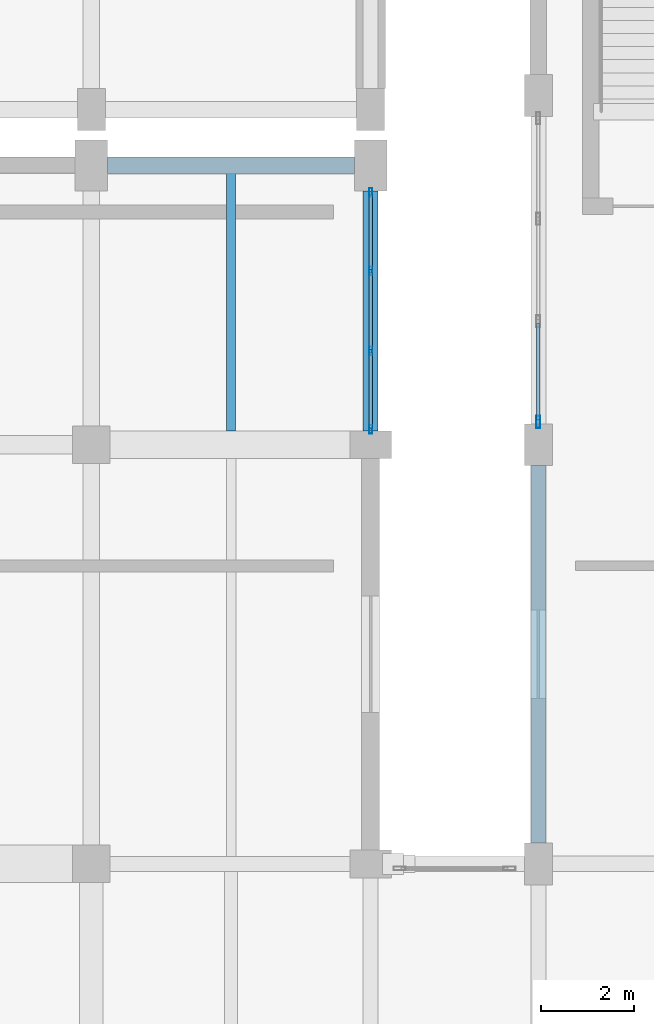
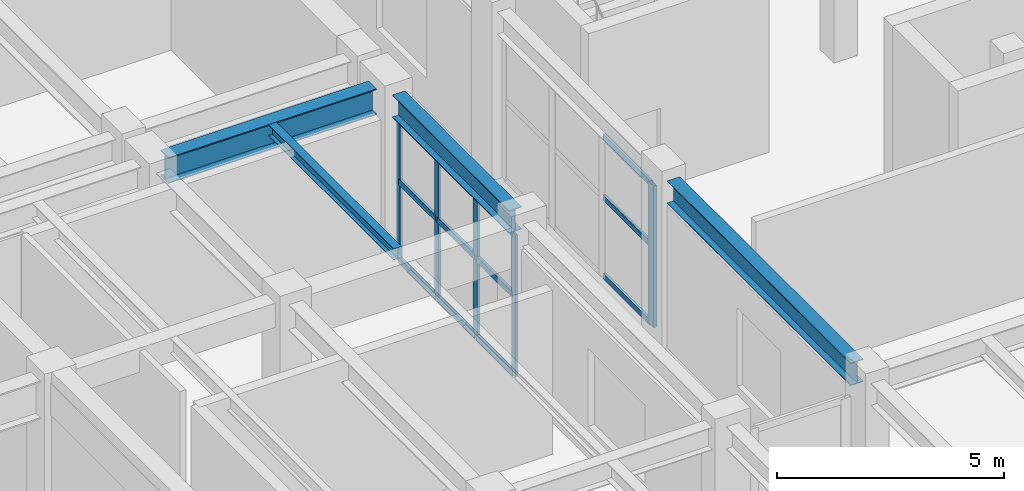
# One storey, part 48 of 96: 17 members, 4 beams, 2 elements without a shape of their own.
"""IFC4 building model written with IfcOpenShell, lengths in metres."""

from ifc_helpers import new_model, si_unit, direction, frame, origin, origin_2d, place, context, subcontext, project, spatial, hollow_rectangle, i_section, extrude, material, layer, layer_set, material_profile, profile_set, type_object, element, aggregate, save


model = new_model("IFC4")

# Units and contexts
model_context = context("Model", 3, precision=1e-05, world=origin(), true_north=direction((0.0, 1.0)))
body_context = subcontext(model_context, "Body", "Model", "MODEL_VIEW")
ifc_project = project(units=[si_unit("LENGTHUNIT", "METRE"), si_unit("AREAUNIT", "SQUARE_METRE"), si_unit("VOLUMEUNIT", "CUBIC_METRE"), si_unit("PLANEANGLEUNIT", "RADIAN"), si_unit("MASSUNIT", "GRAM", prefix="KILO")], contexts=[model_context])

# Site, building, storey
site_placement = place(None, origin())
site = spatial("IfcSite", under=ifc_project, at=site_placement, CompositionType="ELEMENT")
building_placement = place(site_placement, origin())
building = spatial("IfcBuilding", under=site, at=building_placement, Name="Vaelkrest Opera House", CompositionType="ELEMENT")
storey_placement = place(building_placement, frame((0.0, 0.0, 5.39990234375)))
storey = spatial("IfcBuildingStorey", under=building, at=storey_placement, Name="L01", CompositionType="ELEMENT", Elevation=5.39990234375)

# Curtain wall, members
ifc_material_1 = material(Name="Dark bronze anodized aluminium", Category="aluminium")
ifc_layer_1 = layer(ifc_material_1, 0.219970703125)
ifc_layer_set_1 = layer_set([ifc_layer_1], Name="Dark bronze anodized aluminium")
curtain_wall_type_1 = type_object("IfcCurtainWallType", Name="CW05", PredefinedType="NOTDEFINED", material=ifc_layer_set_1)
curtain_wall_1_placement = place(storey_placement, origin())
curtain_wall_1 = element("IfcCurtainWall", 1, at=curtain_wall_1_placement, inside=storey, type_object=curtain_wall_type_1, Name="Curtain wall CW-L01-028", PredefinedType="NOTDEFINED")
ifc_material_profile_1 = material_profile(ifc_material_1, hollow_rectangle(XDim=0.06494140625, YDim=0.179931640625, WallThickness=0.00390625, at=origin_2d()), Name="CWM65X180")
ifc_profile_set_1 = profile_set([ifc_material_profile_1], Name="Dark bronze anodized aluminium")
member_type_1 = type_object("IfcMemberType", Name="CWM01", PredefinedType="MULLION", material=ifc_profile_set_1)
member_1_placement = place(storey_placement, frame((30.0, 15.619384765625, 0.0), z_axis=(0.0, 0.0, 1.0), x_axis=(1.0, 0.0, 0.0)))
member_1 = element("IfcMember", 2, at=member_1_placement, type_object=member_type_1, Name="CW05 mullion 1", PredefinedType="MULLION", context=body_context, shape_type="SweptSolid", body=[
    extrude(hollow_rectangle(XDim=0.06494140625, YDim=0.179931640625, WallThickness=0.00390625, at=origin_2d()), origin(), (0.0, 0.0, 1.0), 3.82421875),
])
member_2_placement = place(storey_placement, frame((30.0, 13.93408203125, 0.0), z_axis=(0.0, 0.0, 1.0), x_axis=(1.0, 0.0, 0.0)))
member_2 = element("IfcMember", 3, at=member_2_placement, type_object=member_type_1, Name="CW05 mullion 2", PredefinedType="MULLION", context=body_context, shape_type="SweptSolid", body=[
    extrude(hollow_rectangle(XDim=0.06494140625, YDim=0.179931640625, WallThickness=0.00390625, at=origin_2d()), origin(), (0.0, 0.0, 1.0), 3.82421875),
])
member_3_placement = place(storey_placement, frame((30.0, 12.216064453125, 0.0), z_axis=(0.0, 0.0, 1.0), x_axis=(1.0, 0.0, 0.0)))
member_3 = element("IfcMember", 4, at=member_3_placement, type_object=member_type_1, Name="CW05 mullion 3", PredefinedType="MULLION", context=body_context, shape_type="SweptSolid", body=[
    extrude(hollow_rectangle(XDim=0.06494140625, YDim=0.179931640625, WallThickness=0.00390625, at=origin_2d()), origin(), (0.0, 0.0, 1.0), 3.82421875),
])
member_4_placement = place(storey_placement, frame((30.0, 10.530517578125, 0.0), z_axis=(0.0, 0.0, 1.0), x_axis=(1.0, 0.0, 0.0)))
member_4 = element("IfcMember", 5, at=member_4_placement, type_object=member_type_1, Name="CW05 mullion 4", PredefinedType="MULLION", context=body_context, shape_type="SweptSolid", body=[
    extrude(hollow_rectangle(XDim=0.06494140625, YDim=0.179931640625, WallThickness=0.00390625, at=origin_2d()), origin(), (0.0, 0.0, 1.0), 3.82421875),
])

ifc_layer_2 = layer(ifc_material_1, 0.25)
ifc_layer_set_2 = layer_set([ifc_layer_2], Name="Dark bronze anodized aluminium")
curtain_wall_type_2 = type_object("IfcCurtainWallType", Name="CW08", PredefinedType="NOTDEFINED", material=ifc_layer_set_2)
curtain_wall_2_placement = place(storey_placement, origin())
curtain_wall_2 = element("IfcCurtainWall", 6, at=curtain_wall_2_placement, inside=storey, type_object=curtain_wall_type_2, Name="Curtain wall CW-L01-155", PredefinedType="NOTDEFINED")
ifc_material_profile_2 = material_profile(ifc_material_1, hollow_rectangle(XDim=0.080078125, YDim=0.260009765625, WallThickness=0.0048828125, at=origin_2d()), Name="CWM80X260")
ifc_profile_set_2 = profile_set([ifc_material_profile_2], Name="Dark bronze anodized aluminium")
member_type_2 = type_object("IfcMemberType", Name="CWM04", PredefinedType="MULLION", material=ifc_profile_set_2)
member_5_placement = place(storey_placement, frame((33.60009765625, 10.68798828125, 0.0), z_axis=(0.0, 0.0, 1.0), x_axis=(-1.0, 0.0, 0.0)))
member_5 = element("IfcMember", 7, at=member_5_placement, type_object=member_type_2, Name="CW08 mullion 1", PredefinedType="MULLION", context=body_context, shape_type="SweptSolid", body=[
    extrude(hollow_rectangle(XDim=0.080078125, YDim=0.260009765625, WallThickness=0.0048828125, at=origin_2d()), origin(), (0.0, 0.0, 1.0), 3.82421875),
])
ifc_material_profile_3 = material_profile(ifc_material_1, hollow_rectangle(XDim=0.070068359375, YDim=0.14990234375, WallThickness=0.004150390625, at=origin_2d()), Name="CWT70X150")
ifc_profile_set_3 = profile_set([ifc_material_profile_3], Name="Dark bronze anodized aluminium")
member_type_3 = type_object("IfcMemberType", Name="CWT02", PredefinedType="USERDEFINED", material=ifc_profile_set_3)
member_6_placement = place(storey_placement, frame((33.60009765625, 10.72802734375, 0.03515625), z_axis=(0.0, 1.0, 0.0), x_axis=(-1.0, 0.0, 0.0)))
member_6 = element("IfcMember", 8, at=member_6_placement, type_object=member_type_3, Name="CW08 transom 1.1", ObjectType="TRANSOM", PredefinedType="USERDEFINED", context=body_context, shape_type="SweptSolid", body=[
    extrude(hollow_rectangle(XDim=0.070068359375, YDim=0.14990234375, WallThickness=0.004150390625, at=origin_2d()), origin(), (0.0, 0.0, 1.0), 2.081298828125),
])
member_7_placement = place(storey_placement, frame((33.60009765625, 10.72802734375, 2.150146484375), z_axis=(0.0, 1.0, 0.0), x_axis=(-1.0, 0.0, 0.0)))
member_7 = element("IfcMember", 9, at=member_7_placement, type_object=member_type_3, Name="CW08 transom 1.2", ObjectType="TRANSOM", PredefinedType="USERDEFINED", context=body_context, shape_type="SweptSolid", body=[
    extrude(hollow_rectangle(XDim=0.070068359375, YDim=0.14990234375, WallThickness=0.004150390625, at=origin_2d()), origin(), (0.0, 0.0, 1.0), 2.081298828125),
])
member_8_placement = place(storey_placement, frame((33.60009765625, 10.72802734375, 3.7890625), z_axis=(0.0, 1.0, 0.0), x_axis=(-1.0, 0.0, 0.0)))
member_8 = element("IfcMember", 10, at=member_8_placement, type_object=member_type_3, Name="CW08 transom 1.3", ObjectType="TRANSOM", PredefinedType="USERDEFINED", context=body_context, shape_type="SweptSolid", body=[
    extrude(hollow_rectangle(XDim=0.070068359375, YDim=0.14990234375, WallThickness=0.004150390625, at=origin_2d()), origin(), (0.0, 0.0, 1.0), 2.081298828125),
])
aggregate(curtain_wall_2, [member_5, member_6, member_7, member_8])

# Member
ifc_material_profile_4 = material_profile(ifc_material_1, hollow_rectangle(XDim=0.074951171875, YDim=0.159912109375, WallThickness=0.00439453125, at=origin_2d()), Name="CWT75X160")
ifc_profile_set_4 = profile_set([ifc_material_profile_4], Name="Dark bronze anodized aluminium")
member_type_4 = type_object("IfcMemberType", Name="CWT03", PredefinedType="USERDEFINED", material=ifc_profile_set_4)
member_9_placement = place(storey_placement, frame((30.0, 15.5869140625, 0.03759765625), z_axis=(0.0, -1.0, 0.0), x_axis=(1.0, 0.0, 0.0)))
member_9 = element("IfcMember", 11, at=member_9_placement, type_object=member_type_4, Name="CW05 transom 1.1", ObjectType="TRANSOM", PredefinedType="USERDEFINED", context=body_context, shape_type="SweptSolid", body=[
    extrude(hollow_rectangle(XDim=0.074951171875, YDim=0.159912109375, WallThickness=0.00439453125, at=origin_2d()), origin(), (0.0, 0.0, 1.0), 1.620361328125),
])

member_10_placement = place(storey_placement, frame((30.0, 15.5869140625, 2.150146484375), z_axis=(0.0, -1.0, 0.0), x_axis=(1.0, 0.0, 0.0)))
member_10 = element("IfcMember", 12, at=member_10_placement, type_object=member_type_4, Name="CW05 transom 1.2", ObjectType="TRANSOM", PredefinedType="USERDEFINED", context=body_context, shape_type="SweptSolid", body=[
    extrude(hollow_rectangle(XDim=0.074951171875, YDim=0.159912109375, WallThickness=0.00439453125, at=origin_2d()), origin(), (0.0, 0.0, 1.0), 1.620361328125),
])

member_11_placement = place(storey_placement, frame((30.0, 15.5869140625, 3.78662109375), z_axis=(0.0, -1.0, 0.0), x_axis=(1.0, 0.0, 0.0)))
member_11 = element("IfcMember", 13, at=member_11_placement, type_object=member_type_4, Name="CW05 transom 1.3", ObjectType="TRANSOM", PredefinedType="USERDEFINED", context=body_context, shape_type="SweptSolid", body=[
    extrude(hollow_rectangle(XDim=0.074951171875, YDim=0.159912109375, WallThickness=0.00439453125, at=origin_2d()), origin(), (0.0, 0.0, 1.0), 1.620361328125),
])

member_12_placement = place(storey_placement, frame((30.0, 13.901611328125, 0.03759765625), z_axis=(0.0, -1.0, 0.0), x_axis=(1.0, 0.0, 0.0)))
member_12 = element("IfcMember", 14, at=member_12_placement, type_object=member_type_4, Name="CW05 transom 2.1", ObjectType="TRANSOM", PredefinedType="USERDEFINED", context=body_context, shape_type="SweptSolid", body=[
    extrude(hollow_rectangle(XDim=0.074951171875, YDim=0.159912109375, WallThickness=0.00439453125, at=origin_2d()), origin(), (0.0, 0.0, 1.0), 1.653076171875),
])

member_13_placement = place(storey_placement, frame((30.0, 13.901611328125, 2.150146484375), z_axis=(0.0, -1.0, 0.0), x_axis=(1.0, 0.0, 0.0)))
member_13 = element("IfcMember", 15, at=member_13_placement, type_object=member_type_4, Name="CW05 transom 2.2", ObjectType="TRANSOM", PredefinedType="USERDEFINED", context=body_context, shape_type="SweptSolid", body=[
    extrude(hollow_rectangle(XDim=0.074951171875, YDim=0.159912109375, WallThickness=0.00439453125, at=origin_2d()), origin(), (0.0, 0.0, 1.0), 1.653076171875),
])

member_14_placement = place(storey_placement, frame((30.0, 13.901611328125, 3.78662109375), z_axis=(0.0, -1.0, 0.0), x_axis=(1.0, 0.0, 0.0)))
member_14 = element("IfcMember", 16, at=member_14_placement, type_object=member_type_4, Name="CW05 transom 2.3", ObjectType="TRANSOM", PredefinedType="USERDEFINED", context=body_context, shape_type="SweptSolid", body=[
    extrude(hollow_rectangle(XDim=0.074951171875, YDim=0.159912109375, WallThickness=0.00439453125, at=origin_2d()), origin(), (0.0, 0.0, 1.0), 1.653076171875),
])

member_15_placement = place(storey_placement, frame((30.0, 12.18359375, 0.03759765625), z_axis=(0.0, -1.0, 0.0), x_axis=(1.0, 0.0, 0.0)))
member_15 = element("IfcMember", 17, at=member_15_placement, type_object=member_type_4, Name="CW05 transom 3.1", ObjectType="TRANSOM", PredefinedType="USERDEFINED", context=body_context, shape_type="SweptSolid", body=[
    extrude(hollow_rectangle(XDim=0.074951171875, YDim=0.159912109375, WallThickness=0.00439453125, at=origin_2d()), origin(), (0.0, 0.0, 1.0), 1.62060546875),
])

member_16_placement = place(storey_placement, frame((30.0, 12.18359375, 2.150146484375), z_axis=(0.0, -1.0, 0.0), x_axis=(1.0, 0.0, 0.0)))
member_16 = element("IfcMember", 18, at=member_16_placement, type_object=member_type_4, Name="CW05 transom 3.2", ObjectType="TRANSOM", PredefinedType="USERDEFINED", context=body_context, shape_type="SweptSolid", body=[
    extrude(hollow_rectangle(XDim=0.074951171875, YDim=0.159912109375, WallThickness=0.00439453125, at=origin_2d()), origin(), (0.0, 0.0, 1.0), 1.62060546875),
])

member_17_placement = place(storey_placement, frame((30.0, 12.18359375, 3.78662109375), z_axis=(0.0, -1.0, 0.0), x_axis=(1.0, 0.0, 0.0)))
member_17 = element("IfcMember", 19, at=member_17_placement, type_object=member_type_4, Name="CW05 transom 3.3", ObjectType="TRANSOM", PredefinedType="USERDEFINED", context=body_context, shape_type="SweptSolid", body=[
    extrude(hollow_rectangle(XDim=0.074951171875, YDim=0.159912109375, WallThickness=0.00439453125, at=origin_2d()), origin(), (0.0, 0.0, 1.0), 1.62060546875),
])

aggregate(curtain_wall_1, [member_1, member_2, member_3, member_4, member_9, member_10, member_11, member_12, member_13, member_14, member_15, member_16, member_17])

# Beams
ifc_material_2 = material(Name="Steel A992 Gr50", Category="steel")
ifc_material_profile_5 = material_profile(ifc_material_2, i_section(OverallWidth=0.202880859375, OverallDepth=0.302978515625, WebThickness=0.007568359375, FlangeThickness=0.01318359375, at=origin_2d()), Name="W12X40")
ifc_profile_set_5 = profile_set([ifc_material_profile_5], Name="Steel A992 Gr50")
beam_type_1 = type_object("IfcBeamType", Name="J02", PredefinedType="JOIST", material=ifc_profile_set_5)
beam_1_placement = place(storey_placement, frame((27.0, 10.5, 4.3486328125), z_axis=(0.0, 1.0, 0.0), x_axis=(-1.0, 0.0, 0.0)))
element("IfcBeam", 20, at=beam_1_placement, inside=storey, type_object=beam_type_1, Name="Floor joist JST-V1-L01-0312", PredefinedType="JOIST", context=body_context, shape_type="SweptSolid", body=[
    extrude(i_section(OverallWidth=0.202880859375, OverallDepth=0.302978515625, WebThickness=0.007568359375, FlangeThickness=0.01318359375, at=origin_2d()), origin(), (0.0, 0.0, 1.0), 5.5224609375),
])
ifc_material_profile_6 = material_profile(ifc_material_2, i_section(OverallWidth=0.323974609375, OverallDepth=0.611083984375, WebThickness=0.0126953125, FlangeThickness=0.01904296875, at=origin_2d()), Name="W24X104")
ifc_profile_set_6 = profile_set([ifc_material_profile_6], Name="Steel A992 Gr50")
beam_type_2 = type_object("IfcBeamType", Name="SP01", PredefinedType="SPANDREL", material=ifc_profile_set_6)
beam_2_placement = place(storey_placement, frame((30.0, 10.5, 4.194580078125), z_axis=(0.0, 1.0, 0.0), x_axis=(-1.0, 0.0, 0.0)))
element("IfcBeam", 21, at=beam_2_placement, inside=storey, type_object=beam_type_2, Name="Beam BM-V1-L01-0298", PredefinedType="SPANDREL", context=body_context, shape_type="SweptSolid", body=[
    extrude(i_section(OverallWidth=0.323974609375, OverallDepth=0.611083984375, WebThickness=0.0126953125, FlangeThickness=0.01904296875, at=origin_2d()), origin(), (0.0, 0.0, 1.0), 5.14990234375),
])
beam_3_placement = place(storey_placement, frame((33.60009765625, 1.64990234375, 4.194580078125), z_axis=(0.0, 1.0, 0.0), x_axis=(-1.0, 0.0, 0.0)))
element("IfcBeam", 22, at=beam_3_placement, inside=storey, type_object=beam_type_2, Name="Beam BM-V4-L01-2168", PredefinedType="SPANDREL", context=body_context, shape_type="SweptSolid", body=[
    extrude(i_section(OverallWidth=0.323974609375, OverallDepth=0.611083984375, WebThickness=0.0126953125, FlangeThickness=0.01904296875, at=origin_2d()), origin(), (0.0, 0.0, 1.0), 8.10009765625),
])
ifc_material_profile_7 = material_profile(ifc_material_2, i_section(OverallWidth=0.35498046875, OverallDepth=0.695068359375, WebThickness=0.015380859375, FlangeThickness=0.02490234375, at=origin_2d()), Name="W27X146")
ifc_profile_set_7 = profile_set([ifc_material_profile_7], Name="Steel A992 Gr50")
beam_type_3 = type_object("IfcBeamType", Name="SP02", PredefinedType="SPANDREL", material=ifc_profile_set_7)
beam_4_placement = place(storey_placement, frame((24.35009765625, 16.199951171875, 4.152587890625), z_axis=(1.0, 0.0, 0.0), x_axis=(0.0, 1.0, 0.0)))
element("IfcBeam", 23, at=beam_4_placement, inside=storey, type_object=beam_type_3, Name="Beam BM-V1-L01-0256", PredefinedType="SPANDREL", context=body_context, shape_type="SweptSolid", body=[
    extrude(i_section(OverallWidth=0.35498046875, OverallDepth=0.695068359375, WebThickness=0.015380859375, FlangeThickness=0.02490234375, at=origin_2d()), origin(), (0.0, 0.0, 1.0), 5.2998046875),
])

save(model, "model.ifc")
